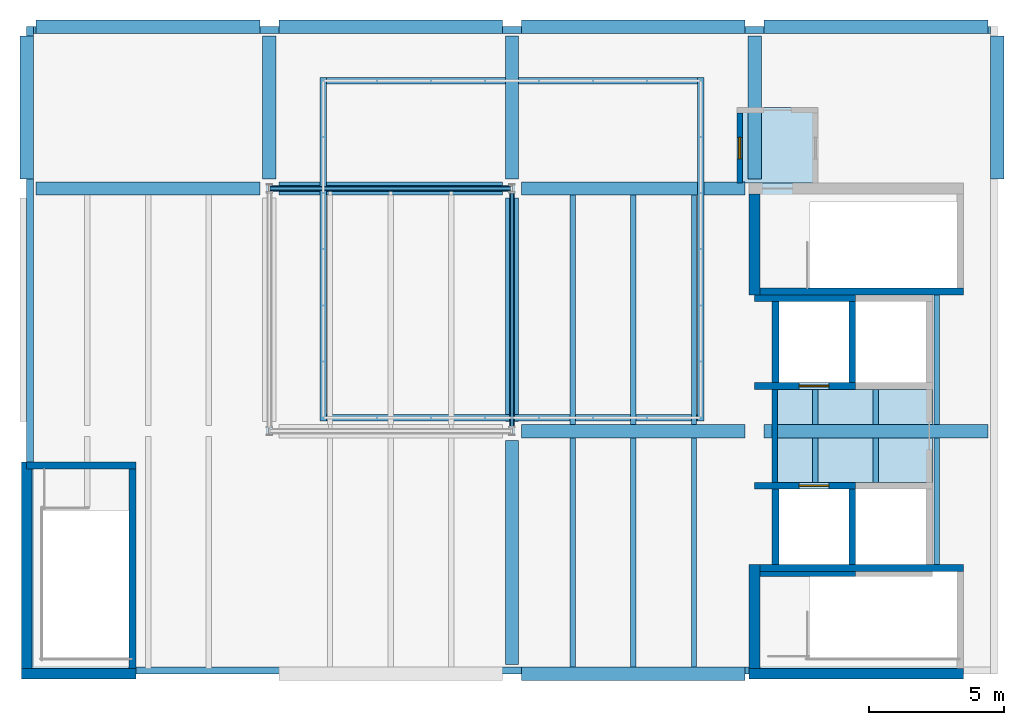
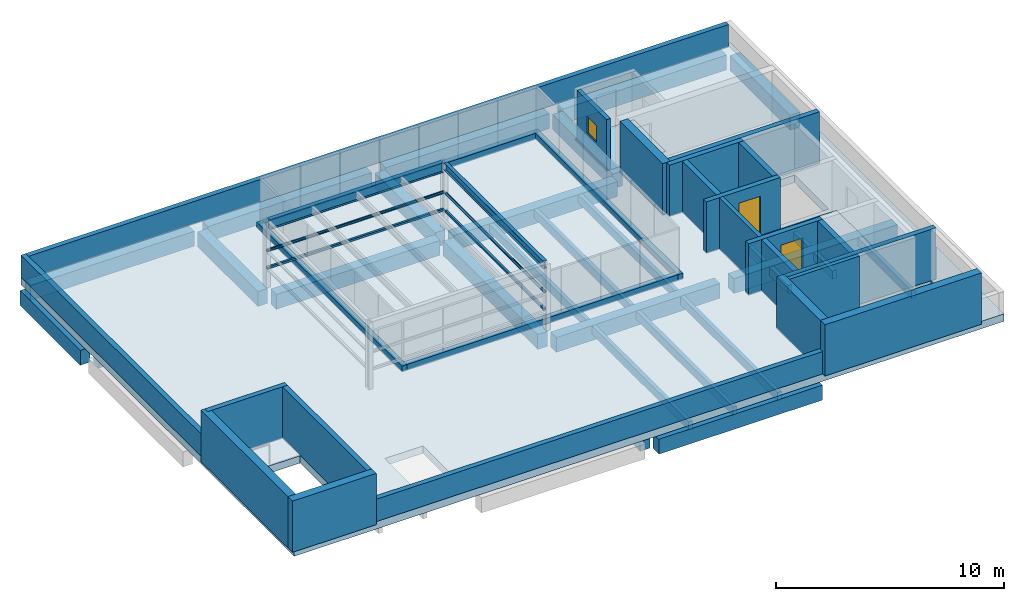
# One storey, part 2 of 5: 31 beams, 26 walls, 4 members, 3 slabs, 2 doors, 1 window, 3 openings.
"""IFC4 building model written with IfcOpenShell, lengths in metres."""

from ifc_helpers import new_model, si_unit, direction, frame, frame_2d, origin, origin_2d, place, context, subcontext, project, spatial, polyline, rectangle, hollow_rectangle, hollow_circle, i_section, outline, extrude, material, layer, layer_set, material_profile, profile_set, type_object, element, fill, save


model = new_model("IFC4")

# Units and contexts
model_context = context("Model", 3, precision=1e-05, world=origin(), true_north=direction((0.0, 1.0)))
body_context = subcontext(model_context, "Body", "Model", "MODEL_VIEW")
ifc_project = project(units=[si_unit("LENGTHUNIT", "METRE"), si_unit("AREAUNIT", "SQUARE_METRE"), si_unit("VOLUMEUNIT", "CUBIC_METRE"), si_unit("PLANEANGLEUNIT", "RADIAN"), si_unit("MASSUNIT", "GRAM", prefix="KILO")], contexts=[model_context])

# Site, building, storey
site_placement = place(None, origin())
site = spatial("IfcSite", under=ifc_project, at=site_placement, CompositionType="ELEMENT")
building_placement = place(site_placement, origin())
building = spatial("IfcBuilding", under=site, at=building_placement, Name="Merrow Basin Faculty of Sciences", CompositionType="ELEMENT")
storey_placement = place(building_placement, frame((0.0, 0.0, 40.5)))
storey = spatial("IfcBuildingStorey", under=building, at=storey_placement, Name="Roof", CompositionType="ELEMENT", Elevation=40.5)

# Beams
ifc_material_1 = material(Name="Concrete C40/50", Category="concrete")
ifc_material_profile_1 = material_profile(ifc_material_1, rectangle(XDim=0.5, YDim=0.800048828125, at=origin_2d()))
ifc_profile_set_1 = profile_set([ifc_material_profile_1], Name="Concrete C40/50")
beam_type_1 = type_object("IfcBeamType", Name="Beam RC500x800 C40/50", PredefinedType="BEAM", material=ifc_profile_set_1)
for number, where, z_axis, x_axis, name in (
    (1, (36.35009765625, 142.0, -0.800048828125), (1.0, 0.0, 0.0), (0.0, 1.0, 0.0), "B4 Roof 002"),
    (2, (36.35009765625, 151.0, -0.800048828125), (1.0, 0.0, 0.0), (0.0, 1.0, 0.0), "B4 Roof 004"),
    (3, (45.35009765625, 151.0, -0.800048828125), (1.0, 0.0, 0.0), (0.0, 1.0, 0.0), "B4 Roof 005"),
    (4, (18.35009765625, 160.0, -0.800048828125), (1.0, 0.0, 0.0), (0.0, 1.0, 0.0), "B4 Roof 006"),
    (5, (27.35009765625, 160.0, -0.800048828125), (1.0, 0.0, 0.0), (0.0, 1.0, 0.0), "B4 Roof 007"),
    (6, (36.35009765625, 160.0, -0.800048828125), (1.0, 0.0, 0.0), (0.0, 1.0, 0.0), "B4 Roof 008"),
    (7, (18.35009765625, 166.0, -0.800048828125), (1.0, 0.0, 0.0), (0.0, 1.0, 0.0), "B4 Roof 009"),
    (8, (27.35009765625, 166.0, -0.800048828125), (1.0, 0.0, 0.0), (0.0, 1.0, 0.0), "B4 Roof 010"),
    (9, (36.35009765625, 166.0, -0.800048828125), (1.0, 0.0, 0.0), (0.0, 1.0, 0.0), "B4 Roof 011"),
    (10, (45.35009765625, 166.0, -0.800048828125), (1.0, 0.0, 0.0), (0.0, 1.0, 0.0), "B4 Roof 012"),
):
    element("IfcBeam", number, at=place(storey_placement, frame(where, z_axis=z_axis, x_axis=x_axis)), inside=storey, type_object=beam_type_1, Name=name, PredefinedType="BEAM", context=body_context, shape_type="SweptSolid", body=[
        extrude(rectangle(XDim=0.5, YDim=0.800048828125, at=origin_2d()), origin(), (0.0, 0.0, 1.0), 8.2998046875),
    ])
for number, where, z_axis, x_axis, name in (
    (11, (18.0, 160.35009765625, -0.800048828125), (0.0, 1.0, 0.0), (-1.0, 0.0, 0.0), "B4 Roof 014"),
    (12, (27.0, 160.35009765625, -0.800048828125), (0.0, 1.0, 0.0), (-1.0, 0.0, 0.0), "B4 Roof 016"),
):
    element("IfcBeam", number, at=place(storey_placement, frame(where, z_axis=z_axis, x_axis=x_axis)), inside=storey, type_object=beam_type_1, Name=name, PredefinedType="BEAM", context=body_context, shape_type="SweptSolid", body=[
        extrude(rectangle(XDim=0.5, YDim=0.800048828125, at=origin_2d()), origin(), (0.0, 0.0, 1.0), 5.2998046875),
    ])
for number, where, z_axis, x_axis, name in (
    (13, (36.0, 142.35009765625, -0.800048828125), (0.0, 1.0, 0.0), (-1.0, 0.0, 0.0), "B4 Roof 017"),
    (14, (36.0, 151.35009765625, -0.800048828125), (0.0, 1.0, 0.0), (-1.0, 0.0, 0.0), "B4 Roof 018"),
):
    element("IfcBeam", number, at=place(storey_placement, frame(where, z_axis=z_axis, x_axis=x_axis)), inside=storey, type_object=beam_type_1, Name=name, PredefinedType="BEAM", context=body_context, shape_type="SweptSolid", body=[
        extrude(rectangle(XDim=0.5, YDim=0.800048828125, at=origin_2d()), origin(), (0.0, 0.0, 1.0), 8.2998046875),
    ])
for number, where, z_axis, x_axis, name in (
    (15, (36.0, 160.35009765625, -0.800048828125), (0.0, 1.0, 0.0), (-1.0, 0.0, 0.0), "B4 Roof 019"),
    (16, (45.0, 160.35009765625, -0.800048828125), (0.0, 1.0, 0.0), (-1.0, 0.0, 0.0), "B4 Roof 020"),
    (17, (54.0, 160.35009765625, -0.800048828125), (0.0, 1.0, 0.0), (-1.0, 0.0, 0.0), "B4 Roof 021"),
):
    element("IfcBeam", number, at=place(storey_placement, frame(where, z_axis=z_axis, x_axis=x_axis)), inside=storey, type_object=beam_type_1, Name=name, PredefinedType="BEAM", context=body_context, shape_type="SweptSolid", body=[
        extrude(rectangle(XDim=0.5, YDim=0.800048828125, at=origin_2d()), origin(), (0.0, 0.0, 1.0), 5.2998046875),
    ])

# Members
ifc_material_2 = material(Name="Steel ASTM A500 Gr C", Category="steel")
ifc_material_profile_2 = material_profile(ifc_material_2, hollow_circle(Radius=0.070556640625, WallThickness=0.006591796875, at=origin_2d()))
ifc_profile_set_2 = profile_set([ifc_material_profile_2], Name="Steel ASTM A500 Gr C")
member_type_1 = type_object("IfcMemberType", Name="Plant frame brace CHS141x6.6", PredefinedType="BRACE", material=ifc_profile_set_2)
member_1_placement = place(storey_placement, frame((27.02001953125, 160.0, 1.928955078125), z_axis=(1.0, 0.0, 0.0), x_axis=(0.0, 1.0, 0.0)))
element("IfcMember", 18, at=member_1_placement, inside=storey, type_object=member_type_1, Name="PB1 Roof 002", PredefinedType="BRACE", context=body_context, shape_type="SweptSolid", body=[
    extrude(hollow_circle(Radius=0.070556640625, WallThickness=0.006591796875, at=origin_2d()), origin(), (0.0, 0.0, 1.0), 8.9599609375),
])
ifc_material_3 = material(Name="Steel ASTM A500 Gr C", Category="steel")
ifc_material_profile_3 = material_profile(ifc_material_3, hollow_rectangle(XDim=0.10205078125, YDim=0.10205078125, WallThickness=0.00634765625, at=origin_2d()))
ifc_profile_set_3 = profile_set([ifc_material_profile_3], Name="Steel ASTM A500 Gr C")
member_type_2 = type_object("IfcMemberType", Name="Plant frame cladding rail HSS102x102x6.4", PredefinedType="MEMBER", material=ifc_profile_set_3)
member_2_placement = place(storey_placement, frame((27.02001953125, 160.0, 1.0), z_axis=(1.0, 0.0, 0.0), x_axis=(0.0, 1.0, 0.0)))
element("IfcMember", 19, at=member_2_placement, inside=storey, type_object=member_type_2, Name="PR1 Roof 006", PredefinedType="MEMBER", context=body_context, shape_type="SweptSolid", body=[
    extrude(hollow_rectangle(XDim=0.10205078125, YDim=0.10205078125, WallThickness=0.00634765625, at=origin_2d()), origin(), (0.0, 0.0, 1.0), 8.9599609375),
])
member_3_placement = place(storey_placement, frame((36.0, 151.1669921875, 1.0), z_axis=(0.0, 1.0, 0.0), x_axis=(-1.0, 0.0, 0.0)))
element("IfcMember", 20, at=member_3_placement, inside=storey, type_object=member_type_2, Name="PR1 Roof 008", PredefinedType="MEMBER", context=body_context, shape_type="SweptSolid", body=[
    extrude(hollow_rectangle(XDim=0.10205078125, YDim=0.10205078125, WallThickness=0.00634765625, at=origin_2d()), origin(), (0.0, 0.0, 1.0), 8.666015625),
])
ifc_material_4 = material(Name="Steel ASTM A500 Gr C", Category="steel")
ifc_material_profile_4 = material_profile(ifc_material_4, hollow_circle(Radius=0.0634765625, WallThickness=0.00634765625, at=origin_2d()))
ifc_profile_set_4 = profile_set([ifc_material_profile_4], Name="Steel ASTM A500 Gr C")
member_type_3 = type_object("IfcMemberType", Name="Plant frame end brace CHS127x6.4", PredefinedType="BRACE", material=ifc_profile_set_4)
member_4_placement = place(storey_placement, frame((36.0, 151.1669921875, 1.93701171875), z_axis=(0.0, 1.0, 0.0), x_axis=(-1.0, 0.0, 0.0)))
element("IfcMember", 21, at=member_4_placement, inside=storey, type_object=member_type_3, Name="PE1 Roof 004", PredefinedType="BRACE", context=body_context, shape_type="SweptSolid", body=[
    extrude(hollow_circle(Radius=0.0634765625, WallThickness=0.00634765625, at=origin_2d()), origin(), (0.0, 0.0, 1.0), 8.666015625),
])

# Beams
ifc_material_5 = material(Name="Steel ASTM A992", Category="steel")
ifc_material_profile_5 = material_profile(ifc_material_5, i_section(OverallWidth=0.208984375, OverallDepth=0.532958984375, WebThickness=0.01025390625, FlangeThickness=0.015625, at=origin_2d()))
ifc_profile_set_5 = profile_set([ifc_material_profile_5], Name="Steel ASTM A992")
beam_type_2 = type_object("IfcBeamType", Name="Plant frame girder W530x92", PredefinedType="BEAM", material=ifc_profile_set_5)
beam_1_placement = place(storey_placement, frame((27.10205078125, 160.0, 3.333984375), z_axis=(1.0, 0.0, 0.0), x_axis=(0.0, 1.0, 0.0)))
element("IfcBeam", 22, at=beam_1_placement, inside=storey, type_object=beam_type_2, Name="PG1 Roof 023", PredefinedType="BEAM", context=body_context, shape_type="SweptSolid", body=[
    extrude(i_section(OverallWidth=0.208984375, OverallDepth=0.532958984375, WebThickness=0.01025390625, FlangeThickness=0.015625, at=origin_2d()), origin(), (0.0, 0.0, 1.0), 8.7958984375),
])
ifc_material_6 = material(Name="Steel ASTM A992", Category="steel")
ifc_material_profile_6 = material_profile(ifc_material_6, i_section(OverallWidth=0.177978515625, OverallDepth=0.406982421875, WebThickness=0.0078125, FlangeThickness=0.0126953125, at=origin_2d()))
ifc_profile_set_6 = profile_set([ifc_material_profile_6], Name="Steel ASTM A992")
beam_type_3 = type_object("IfcBeamType", Name="Plant frame tie beam W410x60", PredefinedType="BEAM", material=ifc_profile_set_6)
beam_2_placement = place(storey_placement, frame((36.0, 151.15087890625, 3.39697265625), z_axis=(0.0, 1.0, 0.0), x_axis=(-1.0, 0.0, 0.0)))
element("IfcBeam", 23, at=beam_2_placement, inside=storey, type_object=beam_type_3, Name="PT1 Roof 025", PredefinedType="BEAM", context=body_context, shape_type="SweptSolid", body=[
    extrude(i_section(OverallWidth=0.177978515625, OverallDepth=0.406982421875, WebThickness=0.0078125, FlangeThickness=0.0126953125, at=origin_2d()), origin(), (0.0, 0.0, 1.0), 8.6982421875),
])
ifc_material_7 = material(Name="Concrete C40/50", Category="concrete")
ifc_material_profile_7 = material_profile(ifc_material_7, rectangle(XDim=0.199951171875, YDim=0.449951171875, at=origin_2d()))
ifc_profile_set_7 = profile_set([ifc_material_profile_7], Name="Concrete C40/50")
beam_type_4 = type_object("IfcBeamType", Name="Tower roof joist RC200x450 C40/50", PredefinedType="BEAM", material=ifc_profile_set_7)
for number, where, z_axis, x_axis, name in (
    (24, (38.25, 142.25, -0.625), (0.0, 1.0, 0.0), (-1.0, 0.0, 0.0), "JU1 Roof 042"),
    (25, (40.5, 142.25, -0.625), (0.0, 1.0, 0.0), (-1.0, 0.0, 0.0), "JU1 Roof 043"),
    (26, (42.75, 142.25, -0.625), (0.0, 1.0, 0.0), (-1.0, 0.0, 0.0), "JU1 Roof 044"),
    (27, (38.25, 151.25, -0.625), (0.0, 1.0, 0.0), (-1.0, 0.0, 0.0), "JU1 Roof 045"),
    (28, (40.5, 151.25, -0.625), (0.0, 1.0, 0.0), (-1.0, 0.0, 0.0), "JU1 Roof 046"),
    (29, (42.75, 151.25, -0.625), (0.0, 1.0, 0.0), (-1.0, 0.0, 0.0), "JU1 Roof 047"),
):
    element("IfcBeam", number, at=place(storey_placement, frame(where, z_axis=z_axis, x_axis=x_axis)), inside=storey, type_object=beam_type_4, Name=name, PredefinedType="BEAM", context=body_context, shape_type="SweptSolid", body=[
        extrude(rectangle(XDim=0.199951171875, YDim=0.449951171875, at=origin_2d()), origin(), (0.0, 0.0, 1.0), 8.5),
    ])
for number, where, z_axis, x_axis, name in (
    (30, (47.25, 149.10009765625, -0.625), (0.0, 1.0, 0.0), (-1.0, 0.0, 0.0), "JU1 Roof 048"),
    (31, (49.5, 149.10009765625, -0.625), (0.0, 1.0, 0.0), (-1.0, 0.0, 0.0), "JU1 Roof 049"),
):
    element("IfcBeam", number, at=place(storey_placement, frame(where, z_axis=z_axis, x_axis=x_axis)), inside=storey, type_object=beam_type_4, Name=name, PredefinedType="BEAM", context=body_context, shape_type="SweptSolid", body=[
        extrude(rectangle(XDim=0.199951171875, YDim=0.449951171875, at=origin_2d()), origin(), (0.0, 0.0, 1.0), 1.64990234375),
    ])
beam_3_placement = place(storey_placement, frame((51.75, 146.050048828125, -0.625), z_axis=(0.0, 1.0, 0.0), x_axis=(-1.0, 0.0, 0.0)))
element("IfcBeam", 32, at=beam_3_placement, inside=storey, type_object=beam_type_4, Name="JU1 Roof 050", PredefinedType="BEAM", context=body_context, shape_type="SweptSolid", body=[
    extrude(rectangle(XDim=0.199951171875, YDim=0.449951171875, at=origin_2d()), origin(), (0.0, 0.0, 1.0), 4.699951171875),
])
for number, where, z_axis, x_axis, name in (
    (33, (47.25, 151.25, -0.625), (0.0, 1.0, 0.0), (-1.0, 0.0, 0.0), "JU1 Roof 051"),
    (34, (49.5, 151.25, -0.625), (0.0, 1.0, 0.0), (-1.0, 0.0, 0.0), "JU1 Roof 052"),
):
    element("IfcBeam", number, at=place(storey_placement, frame(where, z_axis=z_axis, x_axis=x_axis)), inside=storey, type_object=beam_type_4, Name=name, PredefinedType="BEAM", context=body_context, shape_type="SweptSolid", body=[
        extrude(rectangle(XDim=0.199951171875, YDim=0.449951171875, at=origin_2d()), origin(), (0.0, 0.0, 1.0), 1.300048828125),
    ])
beam_4_placement = place(storey_placement, frame((51.75, 151.25, -0.625), z_axis=(0.0, 1.0, 0.0), x_axis=(-1.0, 0.0, 0.0)))
element("IfcBeam", 35, at=beam_4_placement, inside=storey, type_object=beam_type_4, Name="JU1 Roof 053", PredefinedType="BEAM", context=body_context, shape_type="SweptSolid", body=[
    extrude(rectangle(XDim=0.199951171875, YDim=0.449951171875, at=origin_2d()), origin(), (0.0, 0.0, 1.0), 4.800048828125),
])

# Slabs
ifc_material_8 = material(Name="Concrete C40/50", Category="concrete")
ifc_layer_1 = layer(ifc_material_8, 0.39990234375)
ifc_layer_set_1 = layer_set([ifc_layer_1], Name="Plant roof slab 400 Concrete C40/50")
slab_type_1 = type_object("IfcSlabType", Name="Plant roof slab 400 Concrete C40/50", PredefinedType="ROOF", material=ifc_layer_set_1)
slab_1_placement = place(storey_placement, frame((0.0, 0.0, -0.39990234375)))
element("IfcSlab", 36, at=slab_1_placement, inside=storey, type_object=slab_type_1, Name="SL12 roof Roof 001", PredefinedType="ROOF", context=body_context, shape_type="SweptSolid", body=[
    extrude(outline(polyline([(18.0, 166.0), (54.0, 166.0), (54.0, 142.0), (18.0, 142.0), (18.0, 166.0)]), holes=[polyline([(47.050048828125, 142.60009765625), (52.5, 142.60009765625), (52.5, 145.800048828125), (47.050048828125, 145.800048828125), (47.050048828125, 142.60009765625)]), polyline([(47.050048828125, 156.300048828125), (52.5, 156.300048828125), (52.5, 159.5), (47.050048828125, 159.5), (47.050048828125, 156.300048828125)]), polyline([(48.75, 145.85009765625), (51.35009765625, 145.85009765625), (51.35009765625, 148.85009765625), (48.75, 148.85009765625), (48.75, 145.85009765625)]), polyline([(48.75, 152.800048828125), (51.35009765625, 152.800048828125), (51.35009765625, 155.800048828125), (48.75, 155.800048828125), (48.75, 152.800048828125)]), polyline([(45.89990234375, 145.85009765625), (48.5, 145.85009765625), (48.5, 148.85009765625), (45.89990234375, 148.85009765625), (45.89990234375, 145.85009765625)]), polyline([(45.89990234375, 152.800048828125), (48.5, 152.800048828125), (48.5, 155.800048828125), (45.89990234375, 155.800048828125), (45.89990234375, 152.800048828125)]), polyline([(24.90087890625, 142.14990234375), (26.85009765625, 142.14990234375), (26.85009765625, 146.0), (24.90087890625, 146.0), (24.90087890625, 142.14990234375)]), polyline([(18.60009765625, 142.60009765625), (21.800048828125, 142.60009765625), (21.800048828125, 148.050048828125), (18.60009765625, 148.050048828125), (18.60009765625, 142.60009765625)]), polyline([(44.35009765625, 160.199951171875), (47.35009765625, 160.199951171875), (47.35009765625, 163.0), (44.35009765625, 163.0), (44.35009765625, 160.199951171875)]), polyline([(45.64990234375, 149.10009765625), (51.60009765625, 149.10009765625), (51.60009765625, 152.550048828125), (45.64990234375, 152.550048828125), (45.64990234375, 149.10009765625)])]), origin(), (0.0, 0.0, 1.0), 0.39990234375),
])
ifc_material_9 = material(Name="Concrete C40/50", Category="concrete")
ifc_layer_2 = layer(ifc_material_9, 0.39990234375)
ifc_layer_set_2 = layer_set([ifc_layer_2], Name="Roof lobby floor slab 400 Concrete C40/50")
slab_type_2 = type_object("IfcSlabType", Name="Roof lobby floor slab 400 Concrete C40/50", PredefinedType="FLOOR", material=ifc_layer_set_2)
slab_2_placement = place(storey_placement, frame((0.0, 0.0, -0.39990234375)))
element("IfcSlab", 37, at=slab_2_placement, inside=storey, type_object=slab_type_2, Name="Roof lobby floor", PredefinedType="FLOOR", context=body_context, shape_type="SweptSolid", body=[
    extrude(outline(polyline([(44.35009765625, 160.199951171875), (47.35009765625, 160.199951171875), (47.35009765625, 163.0), (44.35009765625, 163.0), (44.35009765625, 160.199951171875)])), origin(), (0.0, 0.0, 1.0), 0.39990234375),
])
slab_3_placement = place(storey_placement, frame((0.0, 0.0, -0.39990234375)))
element("IfcSlab", 38, at=slab_3_placement, inside=storey, type_object=slab_type_2, Name="Roof lobby floor", PredefinedType="FLOOR", context=body_context, shape_type="SweptSolid", body=[
    extrude(outline(polyline([(45.64990234375, 149.10009765625), (51.60009765625, 149.10009765625), (51.60009765625, 152.550048828125), (45.64990234375, 152.550048828125), (45.64990234375, 149.10009765625)])), origin(), (0.0, 0.0, 1.0), 0.39990234375),
])

# Walls
ifc_material_10 = material(Name="Precast concrete C40/50", Category="concrete")
ifc_layer_3 = layer(ifc_material_10, 0.25)
ifc_layer_set_3 = layer_set([ifc_layer_3], Name="Parapet 250 Precast concrete C40/50")
wall_type_1 = type_object("IfcWallType", Name="Parapet 250 Precast concrete C40/50", PredefinedType="PARAPET", material=ifc_layer_set_3)
wall_1_placement = place(storey_placement, frame((18.125, 149.85009765625, 0.0), z_axis=(0.0, 0.0, 1.0), x_axis=(0.0, 1.0, 0.0)))
element("IfcWall", 39, at=wall_1_placement, inside=storey, type_object=wall_type_1, Name="West parapet 1", PredefinedType="PARAPET", context=body_context, shape_type="SweptSolid", body=[
    extrude(rectangle(XDim=16.14990234375, YDim=0.25, at=frame_2d((8.074951171875, 0.0))), origin(), (0.0, 0.0, 1.0), 1.199951171875),
])
wall_2_placement = place(storey_placement, frame((44.800048828125, 142.125, 0.0), z_axis=(0.0, 0.0, 1.0), x_axis=(-1.0, 0.0, 0.0)))
element("IfcWall", 40, at=wall_2_placement, inside=storey, type_object=wall_type_1, Name="South parapet 1", PredefinedType="PARAPET", context=body_context, shape_type="SweptSolid", body=[
    extrude(rectangle(XDim=22.75, YDim=0.25, at=frame_2d((11.375, 0.0))), origin(), (0.0, 0.0, 1.0), 1.199951171875),
])
wall_3_placement = place(storey_placement, frame((18.25, 165.875, 0.0), z_axis=(0.0, 0.0, 1.0), x_axis=(1.0, 0.0, 0.0)))
element("IfcWall", 41, at=wall_3_placement, inside=storey, type_object=wall_type_1, Name="North parapet 1", PredefinedType="PARAPET", context=body_context, shape_type="SweptSolid", body=[
    extrude(rectangle(XDim=35.5, YDim=0.25, at=frame_2d((17.75, 0.0))), origin(), (0.0, 0.0, 1.0), 1.199951171875),
])
ifc_material_11 = material(Name="Precast concrete C40/50", Category="concrete")
ifc_layer_4 = layer(ifc_material_11, 0.25)
ifc_layer_set_4 = layer_set([ifc_layer_4], Name="Plant plinth 250 Precast concrete C40/50")
wall_type_2 = type_object("IfcWallType", Name="Plant plinth 250 Precast concrete C40/50", PredefinedType="STANDARD", material=ifc_layer_set_4)
wall_4_placement = place(storey_placement, frame((28.875, 151.5, 0.0), z_axis=(0.0, 0.0, 1.0), x_axis=(1.0, 0.0, 0.0)))
element("IfcWall", 42, at=wall_4_placement, inside=storey, type_object=wall_type_2, Name="Plant plinth", PredefinedType="STANDARD", context=body_context, shape_type="SweptSolid", body=[
    extrude(rectangle(XDim=14.25, YDim=0.25, at=frame_2d((7.125, 0.0))), origin(), (0.0, 0.0, 1.0), 0.300048828125),
])
wall_5_placement = place(storey_placement, frame((43.0, 151.375, 0.0), z_axis=(0.0, 0.0, 1.0), x_axis=(0.0, 1.0, 0.0)))
element("IfcWall", 43, at=wall_5_placement, inside=storey, type_object=wall_type_2, Name="Plant plinth", PredefinedType="STANDARD", context=body_context, shape_type="SweptSolid", body=[
    extrude(rectangle(XDim=12.75, YDim=0.25, at=frame_2d((6.375, 0.0))), origin(), (0.0, 0.0, 1.0), 0.300048828125),
])
wall_6_placement = place(storey_placement, frame((43.125, 164.0, 0.0), z_axis=(0.0, 0.0, 1.0), x_axis=(-1.0, 0.0, 0.0)))
element("IfcWall", 44, at=wall_6_placement, inside=storey, type_object=wall_type_2, Name="Plant plinth", PredefinedType="STANDARD", context=body_context, shape_type="SweptSolid", body=[
    extrude(rectangle(XDim=14.25, YDim=0.25, at=frame_2d((7.125, 0.0))), origin(), (0.0, 0.0, 1.0), 0.300048828125),
])
wall_7_placement = place(storey_placement, frame((29.0, 164.125, 0.0), z_axis=(0.0, 0.0, 1.0), x_axis=(0.0, -1.0, 0.0)))
element("IfcWall", 45, at=wall_7_placement, inside=storey, type_object=wall_type_2, Name="Plant plinth", PredefinedType="STANDARD", context=body_context, shape_type="SweptSolid", body=[
    extrude(rectangle(XDim=12.75, YDim=0.25, at=frame_2d((6.375, 0.0))), origin(), (0.0, 0.0, 1.0), 0.300048828125),
])

# Wall, opening, window
ifc_material_12 = material(Name="Concrete C40/50", Category="concrete")
ifc_layer_5 = layer(ifc_material_12, 0.199951171875)
ifc_layer_set_5 = layer_set([ifc_layer_5], Name="Roof lobby wall 200 Concrete C40/50")
wall_type_3 = type_object("IfcWallType", Name="Roof lobby wall 200 Concrete C40/50", PredefinedType="SOLIDWALL", material=ifc_layer_set_5)
wall_8_placement = place(storey_placement, frame((44.449951171875, 160.199951171875, 0.0), z_axis=(0.0, 0.0, 1.0), x_axis=(0.0, 1.0, 0.0)))
wall_8 = element("IfcWall", 46, at=wall_8_placement, inside=storey, type_object=wall_type_3, Name="Roof lobby", PredefinedType="SOLIDWALL", context=body_context, shape_type="SweptSolid", body=[
    extrude(rectangle(XDim=2.60009765625, YDim=0.199951171875, at=frame_2d((1.300048828125, 0.0))), origin(), (0.0, 0.0, 1.0), 2.75),
])
opening_1_placement = place(wall_8_placement, frame((0.89990234375, 0.0, 1.0)))
opening_1 = element("IfcOpeningElement", 47, at=opening_1_placement, cuts=wall_8, Name="Opening WN4", PredefinedType="OPENING", context=body_context, shape_type="SweptSolid", body=[
    extrude(rectangle(XDim=0.800048828125, YDim=0.89990234375, at=frame_2d((0.39990234375, 0.449951171875))), frame((0.0, 0.10986328125, 0.0), z_axis=(0.0, -1.0, 0.0), x_axis=(1.0, 0.0, 0.0)), (0.0, 0.0, 1.0), 0.219970703125),
])
ifc_material_13 = material(Name="Low-E double glazing", Category="glass")
window_type = type_object("IfcWindowType", Name="Roof lobby window 800 x 900", PartitioningType="SINGLE_PANEL", PredefinedType="WINDOW", material=ifc_material_13)
window_placement = place(opening_1_placement, origin())
window = element("IfcWindow", 48, at=window_placement, inside=storey, type_object=window_type, Name="Roof lobby window", OverallHeight=0.89990234375, OverallWidth=0.800048828125, PartitioningType="SINGLE_PANEL", PredefinedType="WINDOW", context=body_context, shape_type="SweptSolid", body=[
    extrude(rectangle(XDim=0.800048828125, YDim=0.89990234375, at=frame_2d((0.39990234375, 0.449951171875))), frame((0.0, 0.030029296875, 0.0), z_axis=(0.0, -1.0, 0.0), x_axis=(1.0, 0.0, 0.0)), (0.0, 0.0, 1.0), 0.06005859375),
])
fill(opening_1, window)

# Walls
wall_9_placement = place(storey_placement, frame((45.75, 149.10009765625, 0.0), z_axis=(0.0, 0.0, 1.0), x_axis=(0.0, 1.0, 0.0)))
element("IfcWall", 49, at=wall_9_placement, inside=storey, type_object=wall_type_3, Name="Roof lift lobby", PredefinedType="SOLIDWALL", context=body_context, shape_type="SweptSolid", body=[
    extrude(rectangle(XDim=3.449951171875, YDim=0.199951171875, at=frame_2d((1.72509765625, 0.0))), origin(), (0.0, 0.0, 1.0), 2.75),
])
ifc_material_14 = material(Name="Concrete C40/50", Category="concrete")
ifc_layer_6 = layer(ifc_material_14, 0.199951171875)
ifc_layer_set_6 = layer_set([ifc_layer_6], Name="Shear wall 200 Concrete C40/50")
wall_type_4 = type_object("IfcWallType", Name="Shear wall 200 Concrete C40/50", PredefinedType="SHEAR", material=ifc_layer_set_6)
wall_10_placement = place(storey_placement, frame((45.199951171875, 145.699951171875, 0.0), z_axis=(0.0, 0.0, 1.0), x_axis=(1.0, 0.0, 0.0)))
element("IfcWall", 50, at=wall_10_placement, inside=storey, type_object=wall_type_4, Name="SW6 Roof 016", PredefinedType="SHEAR", context=body_context, shape_type="SweptSolid", body=[
    extrude(rectangle(XDim=3.550048828125, YDim=0.199951171875, at=frame_2d((1.77490234375, 0.0))), origin(), (0.0, 0.0, 1.0), 2.75),
])
ifc_material_15 = material(Name="Concrete C40/50", Category="concrete")
ifc_layer_7 = layer(ifc_material_15, 0.25)
ifc_layer_set_7 = layer_set([ifc_layer_7], Name="Shear wall 250 Concrete C40/50")
wall_type_5 = type_object("IfcWallType", Name="Shear wall 250 Concrete C40/50", PredefinedType="SHEAR", material=ifc_layer_set_7)
for number, where, z_axis, x_axis, name in (
    (51, (45.0, 156.175048828125, 0.0), (0.0, 0.0, 1.0), (1.0, 0.0, 0.0), "SW2 Roof 001"),
    (52, (45.0, 145.925048828125, 0.0), (0.0, 0.0, 1.0), (1.0, 0.0, 0.0), "SW2 Roof 006"),
):
    element("IfcWall", number, at=place(storey_placement, frame(where, z_axis=z_axis, x_axis=x_axis)), inside=storey, type_object=wall_type_5, Name=name, PredefinedType="SHEAR", context=body_context, shape_type="SweptSolid", body=[
        extrude(rectangle(XDim=7.75, YDim=0.25, at=frame_2d((3.875, 0.0))), origin(), (0.0, 0.0, 1.0), 2.75),
    ])

# Wall, opening, door
wall_11_placement = place(storey_placement, frame((45.0, 152.675048828125, 0.0), z_axis=(0.0, 0.0, 1.0), x_axis=(1.0, 0.0, 0.0)))
wall_11 = element("IfcWall", 53, at=wall_11_placement, inside=storey, type_object=wall_type_5, Name="SW2 Roof 009", PredefinedType="SHEAR", context=body_context, shape_type="SweptSolid", body=[
    extrude(rectangle(XDim=3.75, YDim=0.25, at=frame_2d((1.875, 0.0))), origin(), (0.0, 0.0, 1.0), 2.75),
])
opening_2_placement = place(wall_11_placement, frame((1.64990234375, 0.0, 0.0)))
opening_2 = element("IfcOpeningElement", 54, at=opening_2_placement, cuts=wall_11, Name="Opening LD99T01", PredefinedType="OPENING", context=body_context, shape_type="SweptSolid", body=[
    extrude(rectangle(XDim=1.10009765625, YDim=2.10009765625, at=frame_2d((0.550048828125, 1.050048828125))), frame((0.0, 0.135009765625, 0.0), z_axis=(0.0, -1.0, 0.0), x_axis=(1.0, 0.0, 0.0)), (0.0, 0.0, 1.0), 0.27001953125),
])
ifc_material_16 = material(Name="Stainless steel sliding door", Category="steel")
door_type = type_object("IfcDoorType", Name="Lift landing door 1100 x 2100 sliding", OperationType="NOTDEFINED", PredefinedType="DOOR", material=ifc_material_16)
door_1_placement = place(opening_2_placement, origin())
door_1 = element("IfcDoor", 55, at=door_1_placement, inside=storey, type_object=door_type, Name="Landing door LF11 Roof", OperationType="SLIDING_TO_LEFT", OverallHeight=2.10009765625, OverallWidth=1.10009765625, PredefinedType="DOOR", context=body_context, shape_type="SweptSolid", body=[
    extrude(rectangle(XDim=1.10009765625, YDim=2.10009765625, at=frame_2d((0.550048828125, 1.050048828125))), frame((0.0, 0.02490234375, 0.0), z_axis=(0.0, -1.0, 0.0), x_axis=(1.0, 0.0, 0.0)), (0.0, 0.0, 1.0), 0.050048828125),
])
fill(opening_2, door_1)

# Walls
wall_12_placement = place(storey_placement, frame((45.0, 155.925048828125, 0.0), z_axis=(0.0, 0.0, 1.0), x_axis=(1.0, 0.0, 0.0)))
element("IfcWall", 56, at=wall_12_placement, inside=storey, type_object=wall_type_5, Name="SW2 Roof 010", PredefinedType="SHEAR", context=body_context, shape_type="SweptSolid", body=[
    extrude(rectangle(XDim=3.75, YDim=0.25, at=frame_2d((1.875, 0.0))), origin(), (0.0, 0.0, 1.0), 2.75),
])
for number, where, z_axis, x_axis, name in (
    (57, (45.77490234375, 152.800048828125, 0.0), (0.0, 0.0, 1.0), (0.0, 1.0, 0.0), "SW2 Roof 011"),
    (58, (48.625, 152.800048828125, 0.0), (0.0, 0.0, 1.0), (0.0, 1.0, 0.0), "SW2 Roof 012"),
):
    element("IfcWall", number, at=place(storey_placement, frame(where, z_axis=z_axis, x_axis=x_axis)), inside=storey, type_object=wall_type_5, Name=name, PredefinedType="SHEAR", context=body_context, shape_type="SweptSolid", body=[
        extrude(rectangle(XDim=3.0, YDim=0.25, at=frame_2d((1.5, 0.0))), origin(), (0.0, 0.0, 1.0), 2.75),
    ])

# Wall, opening, door
wall_13_placement = place(storey_placement, frame((45.0, 148.97509765625, 0.0), z_axis=(0.0, 0.0, 1.0), x_axis=(1.0, 0.0, 0.0)))
wall_13 = element("IfcWall", 59, at=wall_13_placement, inside=storey, type_object=wall_type_5, Name="SW2 Roof 017", PredefinedType="SHEAR", context=body_context, shape_type="SweptSolid", body=[
    extrude(rectangle(XDim=3.75, YDim=0.25, at=frame_2d((1.875, 0.0))), origin(), (0.0, 0.0, 1.0), 2.75),
])
opening_3_placement = place(wall_13_placement, frame((1.64990234375, 0.0, 0.0)))
opening_3 = element("IfcOpeningElement", 60, at=opening_3_placement, cuts=wall_13, Name="Opening LD99T03", PredefinedType="OPENING", context=body_context, shape_type="SweptSolid", body=[
    extrude(rectangle(XDim=1.10009765625, YDim=2.10009765625, at=frame_2d((0.550048828125, 1.050048828125))), frame((0.0, 0.135009765625, 0.0), z_axis=(0.0, -1.0, 0.0), x_axis=(1.0, 0.0, 0.0)), (0.0, 0.0, 1.0), 0.27001953125),
])
door_2_placement = place(opening_3_placement, origin())
door_2 = element("IfcDoor", 61, at=door_2_placement, inside=storey, type_object=door_type, Name="Landing door LF13 Roof", OperationType="SLIDING_TO_LEFT", OverallHeight=2.10009765625, OverallWidth=1.10009765625, PredefinedType="DOOR", context=body_context, shape_type="SweptSolid", body=[
    extrude(rectangle(XDim=1.10009765625, YDim=2.10009765625, at=frame_2d((0.550048828125, 1.050048828125))), frame((0.0, 0.02490234375, 0.0), z_axis=(0.0, -1.0, 0.0), x_axis=(1.0, 0.0, 0.0)), (0.0, 0.0, 1.0), 0.050048828125),
])
fill(opening_3, door_2)

# Walls
for number, where, z_axis, x_axis, name in (
    (62, (45.77490234375, 146.050048828125, 0.0), (0.0, 0.0, 1.0), (0.0, 1.0, 0.0), "SW2 Roof 018"),
    (63, (48.625, 146.050048828125, 0.0), (0.0, 0.0, 1.0), (0.0, 1.0, 0.0), "SW2 Roof 019"),
):
    element("IfcWall", number, at=place(storey_placement, frame(where, z_axis=z_axis, x_axis=x_axis)), inside=storey, type_object=wall_type_5, Name=name, PredefinedType="SHEAR", context=body_context, shape_type="SweptSolid", body=[
        extrude(rectangle(XDim=2.800048828125, YDim=0.25, at=frame_2d((1.39990234375, 0.0))), origin(), (0.0, 0.0, 1.0), 2.75),
    ])
wall_14_placement = place(storey_placement, frame((18.0, 149.72509765625, 0.0), z_axis=(0.0, 0.0, 1.0), x_axis=(1.0, 0.0, 0.0)))
element("IfcWall", 64, at=wall_14_placement, inside=storey, type_object=wall_type_5, Name="SW2 Roof 024", PredefinedType="SHEAR", context=body_context, shape_type="SweptSolid", body=[
    extrude(rectangle(XDim=4.050048828125, YDim=0.25, at=frame_2d((2.02490234375, 0.0))), origin(), (0.0, 0.0, 1.0), 2.75),
])
wall_15_placement = place(storey_placement, frame((21.925048828125, 142.199951171875, 0.0), z_axis=(0.0, 0.0, 1.0), x_axis=(0.0, 1.0, 0.0)))
element("IfcWall", 65, at=wall_15_placement, inside=storey, type_object=wall_type_5, Name="SW2 Roof 026", PredefinedType="SHEAR", context=body_context, shape_type="SweptSolid", body=[
    extrude(rectangle(XDim=7.400146484375, YDim=0.25, at=frame_2d((3.7001953125, 0.0))), origin(), (0.0, 0.0, 1.0), 2.75),
])
ifc_material_17 = material(Name="Concrete C40/50", Category="concrete")
ifc_layer_8 = layer(ifc_material_17, 0.39990234375)
ifc_layer_set_8 = layer_set([ifc_layer_8], Name="Shear wall 400 Concrete C40/50")
wall_type_6 = type_object("IfcWallType", Name="Shear wall 400 Concrete C40/50", PredefinedType="SHEAR", material=ifc_layer_set_8)
wall_16_placement = place(storey_placement, frame((45.0, 156.050048828125, 0.0), z_axis=(0.0, 0.0, 1.0), x_axis=(0.0, 1.0, 0.0)))
element("IfcWall", 66, at=wall_16_placement, inside=storey, type_object=wall_type_6, Name="SW1 Roof 003", PredefinedType="SHEAR", context=body_context, shape_type="SweptSolid", body=[
    extrude(rectangle(XDim=3.75, YDim=0.39990234375, at=frame_2d((1.875, 0.0))), origin(), (0.0, 0.0, 1.0), 2.75),
])
wall_17_placement = place(storey_placement, frame((44.800048828125, 142.0, 0.0), z_axis=(0.0, 0.0, 1.0), x_axis=(1.0, 0.0, 0.0)))
element("IfcWall", 67, at=wall_17_placement, inside=storey, type_object=wall_type_6, Name="SW1 Roof 005", PredefinedType="SHEAR", context=body_context, shape_type="SweptSolid", body=[
    extrude(rectangle(XDim=7.949951171875, YDim=0.39990234375, at=frame_2d((3.97509765625, 0.0))), origin(), (0.0, 0.0, 1.0), 2.75),
])
wall_18_placement = place(storey_placement, frame((45.0, 142.199951171875, 0.0), z_axis=(0.0, 0.0, 1.0), x_axis=(0.0, 1.0, 0.0)))
element("IfcWall", 68, at=wall_18_placement, inside=storey, type_object=wall_type_6, Name="SW1 Roof 007", PredefinedType="SHEAR", context=body_context, shape_type="SweptSolid", body=[
    extrude(rectangle(XDim=3.85009765625, YDim=0.39990234375, at=frame_2d((1.925048828125, 0.0))), origin(), (0.0, 0.0, 1.0), 2.75),
])
wall_19_placement = place(storey_placement, frame((17.800048828125, 142.0, 0.0), z_axis=(0.0, 0.0, 1.0), x_axis=(1.0, 0.0, 0.0)))
element("IfcWall", 69, at=wall_19_placement, inside=storey, type_object=wall_type_6, Name="SW1 Roof 023", PredefinedType="SHEAR", context=body_context, shape_type="SweptSolid", body=[
    extrude(rectangle(XDim=4.25, YDim=0.39990234375, at=frame_2d((2.125, 0.0))), origin(), (0.0, 0.0, 1.0), 2.75),
])
wall_20_placement = place(storey_placement, frame((18.0, 142.199951171875, 0.0), z_axis=(0.0, 0.0, 1.0), x_axis=(0.0, 1.0, 0.0)))
element("IfcWall", 70, at=wall_20_placement, inside=storey, type_object=wall_type_6, Name="SW1 Roof 025", PredefinedType="SHEAR", context=body_context, shape_type="SweptSolid", body=[
    extrude(rectangle(XDim=7.650146484375, YDim=0.39990234375, at=frame_2d((3.8251953125, 0.0))), origin(), (0.0, 0.0, 1.0), 2.75),
])

save(model, "model.ifc")
